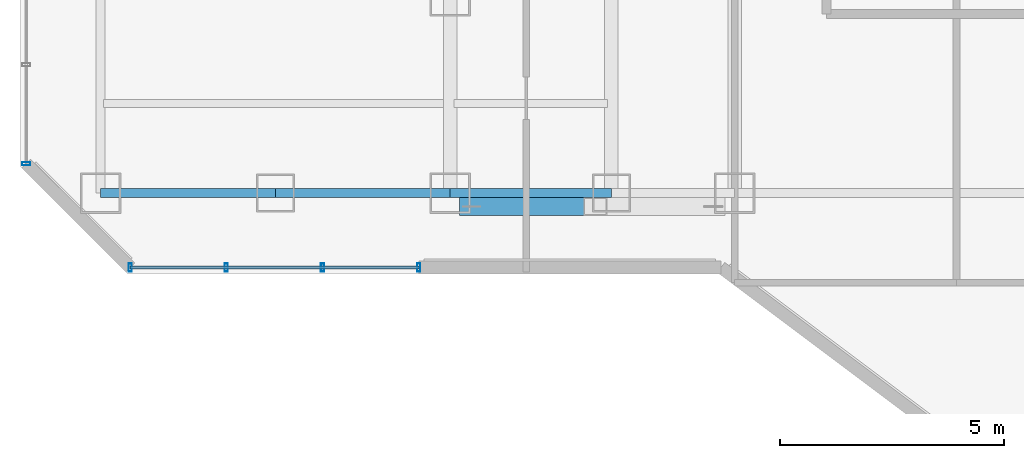
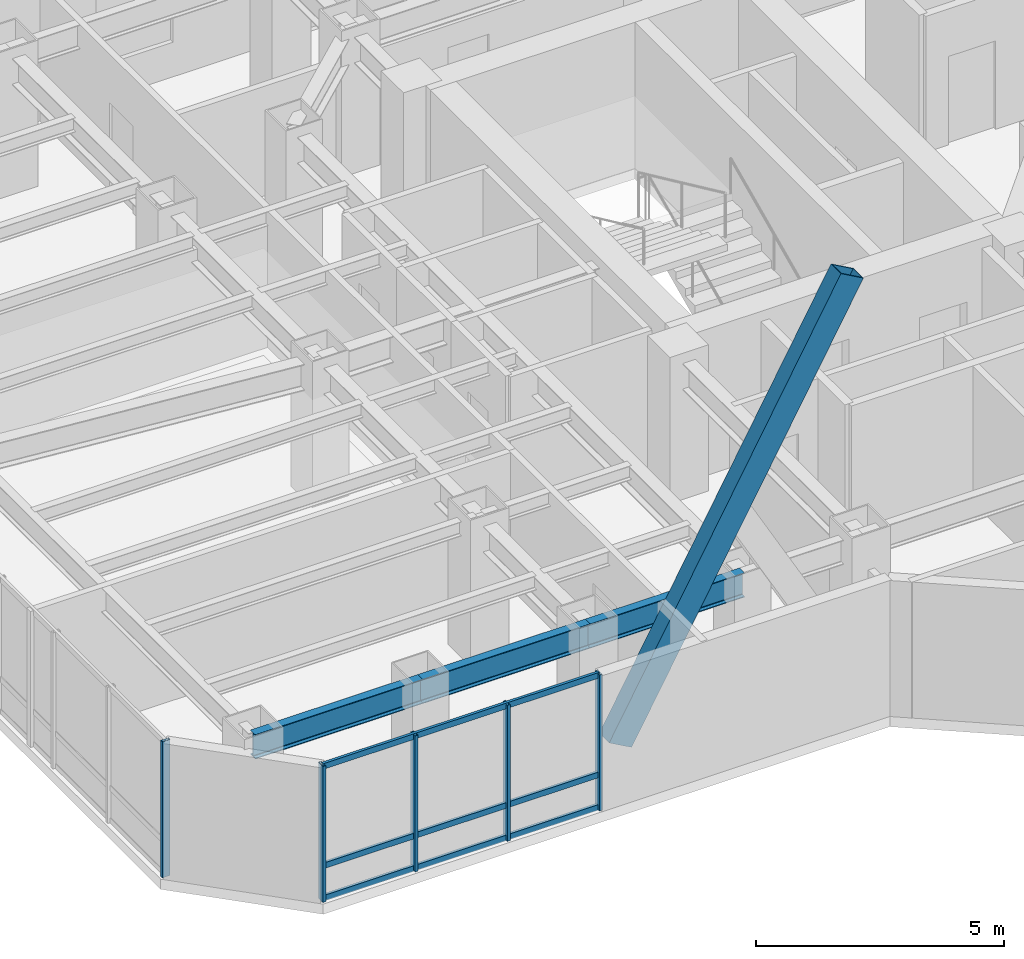
# One storey, part 2 of 29: 9 members, 3 beams, 2 elements without a shape of their own.
"""IFC4 building model written with IfcOpenShell, lengths in metres."""

from ifc_helpers import new_model, si_unit, direction, frame, origin, origin_2d, place, context, subcontext, project, spatial, hollow_rectangle, i_section, extrude, material, layer, layer_set, material_profile, profile_set, type_object, element, aggregate, save


model = new_model("IFC4")

# Units and contexts
model_context = context("Model", 3, precision=1e-05, world=origin(), true_north=direction((0.0, 1.0)))
body_context = subcontext(model_context, "Body", "Model", "MODEL_VIEW")
ifc_project = project(units=[si_unit("LENGTHUNIT", "METRE"), si_unit("AREAUNIT", "SQUARE_METRE"), si_unit("VOLUMEUNIT", "CUBIC_METRE"), si_unit("PLANEANGLEUNIT", "RADIAN"), si_unit("MASSUNIT", "GRAM", prefix="KILO")], contexts=[model_context])

# Site, building, storey
site_placement = place(None, origin())
site = spatial("IfcSite", under=ifc_project, at=site_placement, CompositionType="ELEMENT")
building_placement = place(site_placement, origin())
building = spatial("IfcBuilding", under=site, at=building_placement, Name="Hatsunagi Terrace Concourse", CompositionType="ELEMENT")
storey_placement = place(building_placement, frame((0.0, 0.0, 119.25)))
storey = spatial("IfcBuildingStorey", under=building, at=storey_placement, Name="L31", CompositionType="ELEMENT", Elevation=119.25)

# Curtain wall, members
ifc_material_1 = material(Name="Anodised Aluminium Alloy 6063-T5", Category="aluminium")
ifc_layer = layer(ifc_material_1, 0.199951171875)
ifc_layer_set = layer_set([ifc_layer], Name="OfficeZone1_CW03")
curtain_wall_type = type_object("IfcCurtainWallType", Name="OfficeZone1_CW03", PredefinedType="NOTDEFINED", material=ifc_layer_set)
curtain_wall_1_placement = place(storey_placement, origin())
curtain_wall_1 = element("IfcCurtainWall", 1, at=curtain_wall_1_placement, inside=storey, type_object=curtain_wall_type, Name="Unitised Curtain Wall CW-03 CW-L31-07", PredefinedType="NOTDEFINED")
ifc_material_2 = material(Name="Anodised Aluminium Alloy 6063-T5", Category="aluminium")
ifc_material_profile_1 = material_profile(ifc_material_2, hollow_rectangle(XDim=0.070068359375, YDim=0.179931640625, WallThickness=0.00390625, at=origin_2d()), Name="ALU-MUL-180x70x4")
ifc_profile_set_1 = profile_set([ifc_material_profile_1], Name="Anodised Aluminium Alloy 6063-T5")
member_type_1 = type_object("IfcMemberType", Name="CurtainWallMullion_180x70", PredefinedType="MULLION", material=ifc_profile_set_1)
member_1_placement = place(storey_placement, frame((18.5, 23.5400390625, 0.0), z_axis=(0.0, 0.0, 1.0), x_axis=(-1.0, 0.0, 0.0)))
member_1 = element("IfcMember", 2, at=member_1_placement, type_object=member_type_1, Name="Curtain Wall Mullion MUL-02", PredefinedType="MULLION", context=body_context, shape_type="SweptSolid", body=[
    extrude(hollow_rectangle(XDim=0.070068359375, YDim=0.179931640625, WallThickness=0.00390625, at=origin_2d()), origin(), (0.0, 0.0, 1.0), 3.35009765625),
])
member_2_placement = place(storey_placement, frame((16.35302734375, 23.5400390625, 0.0), z_axis=(0.0, 0.0, 1.0), x_axis=(-1.0, 0.0, 0.0)))
member_2 = element("IfcMember", 3, at=member_2_placement, type_object=member_type_1, Name="Curtain Wall Mullion MUL-02", PredefinedType="MULLION", context=body_context, shape_type="SweptSolid", body=[
    extrude(hollow_rectangle(XDim=0.070068359375, YDim=0.179931640625, WallThickness=0.00390625, at=origin_2d()), origin(), (0.0, 0.0, 1.0), 3.35009765625),
])
member_3_placement = place(storey_placement, frame((14.205078125, 23.5400390625, 0.0), z_axis=(0.0, 0.0, 1.0), x_axis=(-1.0, 0.0, 0.0)))
member_3 = element("IfcMember", 4, at=member_3_placement, type_object=member_type_1, Name="Curtain Wall Mullion MUL-02", PredefinedType="MULLION", context=body_context, shape_type="SweptSolid", body=[
    extrude(hollow_rectangle(XDim=0.070068359375, YDim=0.179931640625, WallThickness=0.00390625, at=origin_2d()), origin(), (0.0, 0.0, 1.0), 3.35009765625),
])
member_4_placement = place(storey_placement, frame((12.05810546875, 23.5400390625, 0.0), z_axis=(0.0, 0.0, 1.0), x_axis=(-1.0, 0.0, 0.0)))
member_4 = element("IfcMember", 5, at=member_4_placement, type_object=member_type_1, Name="Curtain Wall Mullion MUL-02", PredefinedType="MULLION", context=body_context, shape_type="SweptSolid", body=[
    extrude(hollow_rectangle(XDim=0.070068359375, YDim=0.179931640625, WallThickness=0.00390625, at=origin_2d()), origin(), (0.0, 0.0, 1.0), 3.35009765625),
])

# Curtain wall, member
curtain_wall_2_placement = place(storey_placement, origin())
curtain_wall_2 = element("IfcCurtainWall", 6, at=curtain_wall_2_placement, inside=storey, type_object=curtain_wall_type, Name="Unitised Curtain Wall CW-03 CW-L31-09", PredefinedType="NOTDEFINED")
member_5_placement = place(storey_placement, frame((9.739990234375, 25.85791015625, 0.0), z_axis=(0.0, 0.0, 1.0), x_axis=(0.0, 1.0, 0.0)))
member_5 = element("IfcMember", 7, at=member_5_placement, type_object=member_type_1, Name="Curtain Wall Mullion MUL-02", PredefinedType="MULLION", context=body_context, shape_type="SweptSolid", body=[
    extrude(hollow_rectangle(XDim=0.070068359375, YDim=0.179931640625, WallThickness=0.00390625, at=origin_2d()), origin(), (0.0, 0.0, 1.0), 3.35009765625),
])
aggregate(curtain_wall_2, [member_5])

# Member
ifc_material_3 = material(Name="Anodised Aluminium Alloy 6063-T5", Category="aluminium")
ifc_material_profile_2 = material_profile(ifc_material_3, hollow_rectangle(XDim=0.06494140625, YDim=0.139892578125, WallThickness=0.00390625, at=origin_2d()), Name="ALU-TRN-140x65x4")
ifc_profile_set_2 = profile_set([ifc_material_profile_2], Name="Anodised Aluminium Alloy 6063-T5")
member_type_2 = type_object("IfcMemberType", Name="CurtainWallTransom_140x65", PredefinedType="USERDEFINED", material=ifc_profile_set_2)
member_6_placement = place(storey_placement, frame((18.5, 23.5400390625, 0.050048828125), z_axis=(-1.0, 0.0, 0.0), x_axis=(0.0, -1.0, 0.0)))
member_6 = element("IfcMember", 8, at=member_6_placement, type_object=member_type_2, Name="Curtain Wall Transom TRN-02", ObjectType="TRANSOM", PredefinedType="USERDEFINED", context=body_context, shape_type="SweptSolid", body=[
    extrude(hollow_rectangle(XDim=0.06494140625, YDim=0.139892578125, WallThickness=0.00390625, at=origin_2d()), origin(), (0.0, 0.0, 1.0), 6.44189453125),
])

member_7_placement = place(storey_placement, frame((18.5, 23.5400390625, 0.85009765625), z_axis=(-1.0, 0.0, 0.0), x_axis=(0.0, -1.0, 0.0)))
member_7 = element("IfcMember", 9, at=member_7_placement, type_object=member_type_2, Name="Curtain Wall Transom TRN-02", ObjectType="TRANSOM", PredefinedType="USERDEFINED", context=body_context, shape_type="SweptSolid", body=[
    extrude(hollow_rectangle(XDim=0.06494140625, YDim=0.139892578125, WallThickness=0.00390625, at=origin_2d()), origin(), (0.0, 0.0, 1.0), 6.44189453125),
])

member_8_placement = place(storey_placement, frame((18.5, 23.5400390625, 3.300048828125), z_axis=(-1.0, 0.0, 0.0), x_axis=(0.0, -1.0, 0.0)))
member_8 = element("IfcMember", 10, at=member_8_placement, type_object=member_type_2, Name="Curtain Wall Transom TRN-02", ObjectType="TRANSOM", PredefinedType="USERDEFINED", context=body_context, shape_type="SweptSolid", body=[
    extrude(hollow_rectangle(XDim=0.06494140625, YDim=0.139892578125, WallThickness=0.00390625, at=origin_2d()), origin(), (0.0, 0.0, 1.0), 6.44189453125),
])

aggregate(curtain_wall_1, [member_1, member_2, member_3, member_4, member_6, member_7, member_8])

# Beams
ifc_material_4 = material(Name="Steel SN490B", Category="steel")
ifc_material_profile_3 = material_profile(ifc_material_4, i_section(OverallWidth=0.199951171875, OverallDepth=0.60009765625, WebThickness=0.010986328125, FlangeThickness=0.01708984375, FilletRadius=0.01806640625, at=origin_2d()), Name="H-600x200x11x17")
ifc_profile_set_3 = profile_set([ifc_material_profile_3], Name="Steel SN490B")
beam_type = type_object("IfcBeamType", Name="PerimeterSpandrel_H_600x200", PredefinedType="SPANDREL", material=ifc_profile_set_3)
beam_1_placement = place(storey_placement, frame((11.39990234375, 25.199951171875, 3.050048828125), z_axis=(1.0, 0.0, 0.0), x_axis=(0.0, 1.0, 0.0)))
element("IfcBeam", 11, at=beam_1_placement, inside=storey, type_object=beam_type, Name="Beam SP-01 BM-L31-WS-11", PredefinedType="SPANDREL", context=body_context, shape_type="SweptSolid", body=[
    extrude(i_section(OverallWidth=0.199951171875, OverallDepth=0.60009765625, WebThickness=0.010986328125, FlangeThickness=0.01708984375, FilletRadius=0.01806640625, at=origin_2d()), origin(), (0.0, 0.0, 1.0), 3.900146484375),
])
beam_2_placement = place(storey_placement, frame((15.300048828125, 25.199951171875, 3.050048828125), z_axis=(1.0, 0.0, 0.0), x_axis=(0.0, 1.0, 0.0)))
element("IfcBeam", 12, at=beam_2_placement, inside=storey, type_object=beam_type, Name="Beam SP-01 BM-L31-WS-15", PredefinedType="SPANDREL", context=body_context, shape_type="SweptSolid", body=[
    extrude(i_section(OverallWidth=0.199951171875, OverallDepth=0.60009765625, WebThickness=0.010986328125, FlangeThickness=0.01708984375, FilletRadius=0.01806640625, at=origin_2d()), origin(), (0.0, 0.0, 1.0), 3.89990234375),
])
beam_3_placement = place(storey_placement, frame((19.199951171875, 25.199951171875, 3.050048828125), z_axis=(1.0, 0.0, 0.0), x_axis=(0.0, 1.0, 0.0)))
element("IfcBeam", 13, at=beam_3_placement, inside=storey, type_object=beam_type, Name="Beam SP-01 BM-L31-WS-19", PredefinedType="SPANDREL", context=body_context, shape_type="SweptSolid", body=[
    extrude(i_section(OverallWidth=0.199951171875, OverallDepth=0.60009765625, WebThickness=0.010986328125, FlangeThickness=0.01708984375, FilletRadius=0.01806640625, at=origin_2d()), origin(), (0.0, 0.0, 1.0), 3.60009765625),
])

# Member
ifc_material_5 = material(Name="Steel SN490B", Category="steel")
ifc_material_profile_4 = material_profile(ifc_material_5, hollow_rectangle(XDim=0.39990234375, YDim=0.60009765625, WallThickness=0.02490234375, at=origin_2d()), Name="RHS-600x400x25")
ifc_profile_set_4 = profile_set([ifc_material_profile_4], Name="Steel SN490B")
member_type_3 = type_object("IfcMemberType", Name="PerimeterXBrace_Mid_RHS_600x400x25", PredefinedType="BRACE", material=ifc_profile_set_4)
member_9_placement = place(storey_placement, frame((19.675048828125, 24.89990234375, 0.43994140625), z_axis=(0.487545164751, 0.0, 0.873097767909), x_axis=(0.0, 1.0, 0.0)))
element("IfcMember", 14, at=member_9_placement, inside=storey, type_object=member_type_3, Name="Perimeter X-Brace XB-02 XB-L31-W1A", PredefinedType="BRACE", context=body_context, shape_type="SweptSolid", body=[
    extrude(hollow_rectangle(XDim=0.39990234375, YDim=0.60009765625, WallThickness=0.02490234375, at=origin_2d()), origin(), (0.0, 0.0, 1.0), 11.07568359375),
])

save(model, "model.ifc")
